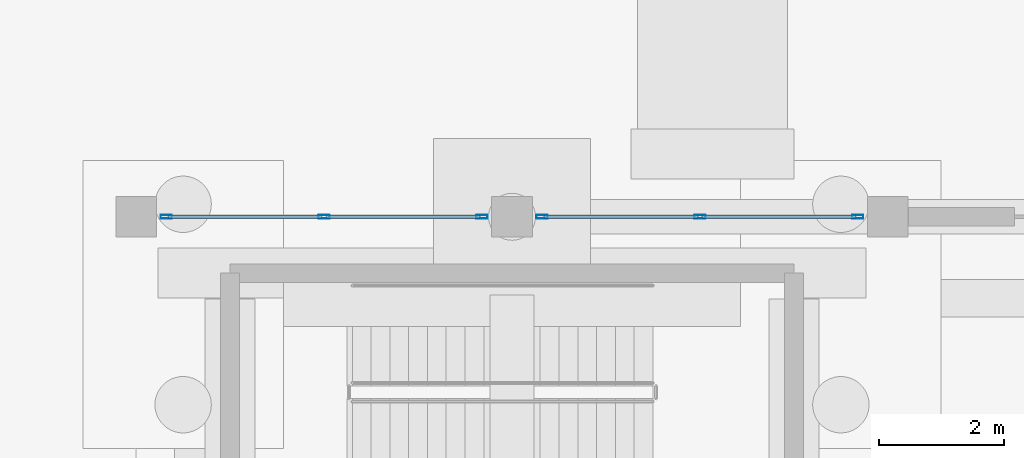
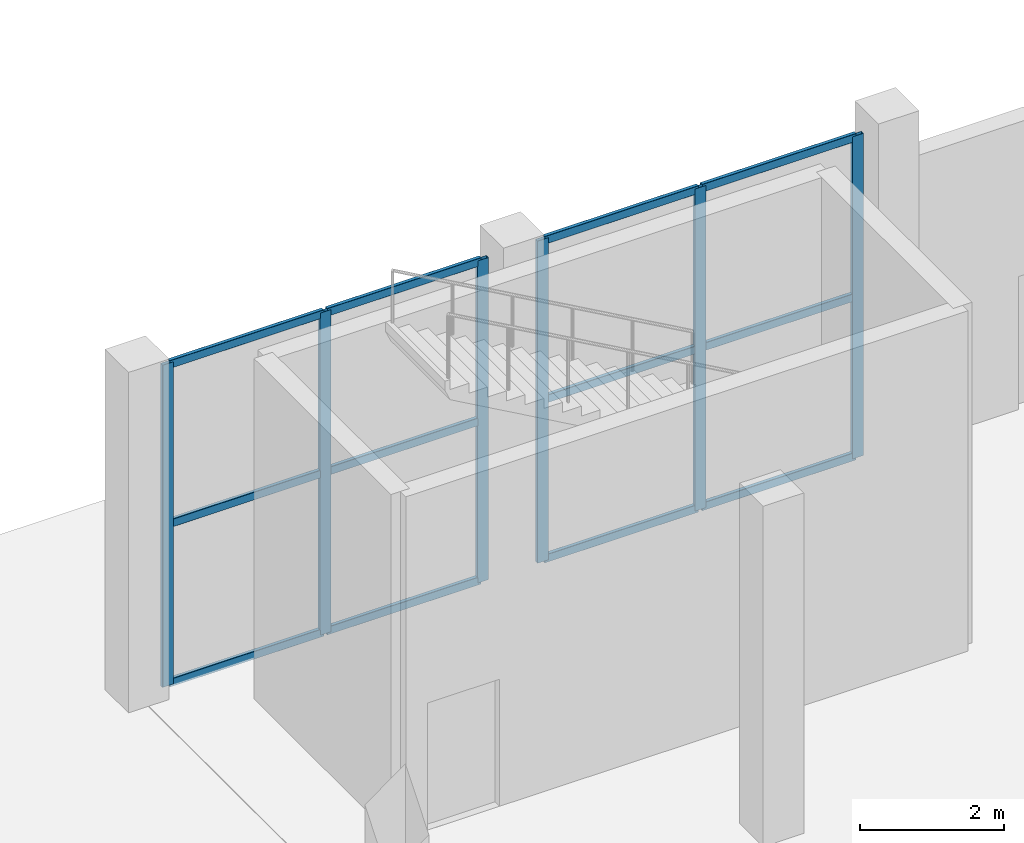
# One storey, part 53 of 103: 18 members, 2 elements without a shape of their own.
"""IFC4 building model written with IfcOpenShell, lengths in metres."""

from ifc_helpers import new_model, si_unit, direction, frame, origin, origin_2d, place, context, subcontext, project, spatial, hollow_rectangle, extrude, material, layer, layer_set, material_profile, profile_set, type_object, element, aggregate, save


model = new_model("IFC4")

# Units and contexts
model_context = context("Model", 3, precision=1e-05, world=origin(), true_north=direction((0.0, 1.0)))
body_context = subcontext(model_context, "Body", "Model", "MODEL_VIEW")
ifc_project = project(units=[si_unit("LENGTHUNIT", "METRE"), si_unit("AREAUNIT", "SQUARE_METRE"), si_unit("VOLUMEUNIT", "CUBIC_METRE"), si_unit("PLANEANGLEUNIT", "RADIAN"), si_unit("MASSUNIT", "GRAM", prefix="KILO")], contexts=[model_context])

# Site, building, storey
site_placement = place(None, origin())
site = spatial("IfcSite", under=ifc_project, at=site_placement, CompositionType="ELEMENT")
building_placement = place(site_placement, origin())
building = spatial("IfcBuilding", under=site, at=building_placement, Name="Dunvalen Ferry Terminal", CompositionType="ELEMENT")
storey_placement = place(building_placement, origin())
storey = spatial("IfcBuildingStorey", under=building, at=storey_placement, Name="L00", CompositionType="ELEMENT", Elevation=0.0)

# Curtain wall, members
ifc_material_1 = material(Name="Anodised marine aluminium and solar-control glazing", Category="aluminium")
ifc_layer = layer(ifc_material_1, 0.159912109375, Name="Anodised marine aluminium and solar-control glazing")
ifc_layer_set = layer_set([ifc_layer], Name="Anodised marine aluminium and solar-control glazing")
curtain_wall_type = type_object("IfcCurtainWallType", Name="ENV-CW-SYS-09", PredefinedType="NOTDEFINED", material=ifc_layer_set)
curtain_wall_1_placement = place(storey_placement, origin())
curtain_wall_1 = element("IfcCurtainWall", 1, at=curtain_wall_1_placement, inside=storey, type_object=curtain_wall_type, Name="L00 Curtain Wall CW-BRT1-N-L00-1", PredefinedType="NOTDEFINED")
ifc_material_2 = material(Name="Anodised marine aluminium EN AW-6063 T6", Category="aluminium")
ifc_material_profile_1 = material_profile(ifc_material_2, hollow_rectangle(XDim=0.06005859375, YDim=0.179931640625, WallThickness=0.00341796875, InnerFilletRadius=0.00341796875, OuterFilletRadius=0.007080078125, at=origin_2d()), Name="Anodised marine aluminium EN AW-6063 T6")
ifc_profile_set_1 = profile_set([ifc_material_profile_1], Name="Anodised marine aluminium EN AW-6063 T6")
member_type_1 = type_object("IfcMemberType", Name="ENV-CW-MUL-2", PredefinedType="MULLION", material=ifc_profile_set_1)
member_1_placement = place(storey_placement, frame((24.47998046875, 115.199951171875, 0.0), z_axis=(0.0, 0.0, 1.0), x_axis=(0.0, 1.0, 0.0)))
member_1 = element("IfcMember", 2, at=member_1_placement, type_object=member_type_1, Name="CW-09 mullion 1", PredefinedType="MULLION", context=body_context, shape_type="SweptSolid", body=[
    extrude(hollow_rectangle(XDim=0.06005859375, YDim=0.179931640625, WallThickness=0.00341796875, InnerFilletRadius=0.00341796875, OuterFilletRadius=0.007080078125, at=origin_2d()), origin(), (0.0, 0.0, 1.0), 5.449951171875),
])
member_2_placement = place(storey_placement, frame((27.0, 115.199951171875, 0.0), z_axis=(0.0, 0.0, 1.0), x_axis=(0.0, 1.0, 0.0)))
member_2 = element("IfcMember", 3, at=member_2_placement, type_object=member_type_1, Name="CW-09 mullion 2", PredefinedType="MULLION", context=body_context, shape_type="SweptSolid", body=[
    extrude(hollow_rectangle(XDim=0.06005859375, YDim=0.179931640625, WallThickness=0.00341796875, InnerFilletRadius=0.00341796875, OuterFilletRadius=0.007080078125, at=origin_2d()), origin(), (0.0, 0.0, 1.0), 5.449951171875),
])
member_3_placement = place(storey_placement, frame((29.52001953125, 115.199951171875, 0.0), z_axis=(0.0, 0.0, 1.0), x_axis=(0.0, 1.0, 0.0)))
member_3 = element("IfcMember", 4, at=member_3_placement, type_object=member_type_1, Name="CW-09 mullion 3", PredefinedType="MULLION", context=body_context, shape_type="SweptSolid", body=[
    extrude(hollow_rectangle(XDim=0.06005859375, YDim=0.179931640625, WallThickness=0.00341796875, InnerFilletRadius=0.00341796875, OuterFilletRadius=0.007080078125, at=origin_2d()), origin(), (0.0, 0.0, 1.0), 5.449951171875),
])

curtain_wall_2_placement = place(storey_placement, origin())
curtain_wall_2 = element("IfcCurtainWall", 5, at=curtain_wall_2_placement, inside=storey, type_object=curtain_wall_type, Name="L00 Curtain Wall CW-BRT1-N-L00-2", PredefinedType="NOTDEFINED")
member_4_placement = place(storey_placement, frame((30.47998046875, 115.199951171875, 0.0), z_axis=(0.0, 0.0, 1.0), x_axis=(0.0, 1.0, 0.0)))
member_4 = element("IfcMember", 6, at=member_4_placement, type_object=member_type_1, Name="CW-09 mullion 1", PredefinedType="MULLION", context=body_context, shape_type="SweptSolid", body=[
    extrude(hollow_rectangle(XDim=0.06005859375, YDim=0.179931640625, WallThickness=0.00341796875, InnerFilletRadius=0.00341796875, OuterFilletRadius=0.007080078125, at=origin_2d()), origin(), (0.0, 0.0, 1.0), 5.449951171875),
])
member_5_placement = place(storey_placement, frame((33.0, 115.199951171875, 0.0), z_axis=(0.0, 0.0, 1.0), x_axis=(0.0, 1.0, 0.0)))
member_5 = element("IfcMember", 7, at=member_5_placement, type_object=member_type_1, Name="CW-09 mullion 2", PredefinedType="MULLION", context=body_context, shape_type="SweptSolid", body=[
    extrude(hollow_rectangle(XDim=0.06005859375, YDim=0.179931640625, WallThickness=0.00341796875, InnerFilletRadius=0.00341796875, OuterFilletRadius=0.007080078125, at=origin_2d()), origin(), (0.0, 0.0, 1.0), 5.449951171875),
])
member_6_placement = place(storey_placement, frame((35.52001953125, 115.199951171875, 0.0), z_axis=(0.0, 0.0, 1.0), x_axis=(0.0, 1.0, 0.0)))
member_6 = element("IfcMember", 8, at=member_6_placement, type_object=member_type_1, Name="CW-09 mullion 3", PredefinedType="MULLION", context=body_context, shape_type="SweptSolid", body=[
    extrude(hollow_rectangle(XDim=0.06005859375, YDim=0.179931640625, WallThickness=0.00341796875, InnerFilletRadius=0.00341796875, OuterFilletRadius=0.007080078125, at=origin_2d()), origin(), (0.0, 0.0, 1.0), 5.449951171875),
])

# Member
ifc_material_profile_2 = material_profile(ifc_material_2, hollow_rectangle(XDim=0.06005859375, YDim=0.135009765625, WallThickness=0.003173828125, InnerFilletRadius=0.003173828125, OuterFilletRadius=0.00634765625, at=origin_2d()), Name="Anodised marine aluminium EN AW-6063 T6")
ifc_profile_set_2 = profile_set([ifc_material_profile_2], Name="Anodised marine aluminium EN AW-6063 T6")
member_type_2 = type_object("IfcMemberType", Name="ENV-CW-TRN-2", PredefinedType="USERDEFINED", material=ifc_profile_set_2)
member_7_placement = place(storey_placement, frame((24.510009765625, 115.199951171875, 0.030029296875), z_axis=(1.0, 0.0, 0.0), x_axis=(0.0, 1.0, 0.0)))
member_7 = element("IfcMember", 9, at=member_7_placement, type_object=member_type_2, Name="CW-09 transom 1.1", ObjectType="TRANSOM", PredefinedType="USERDEFINED", context=body_context, shape_type="SweptSolid", body=[
    extrude(hollow_rectangle(XDim=0.06005859375, YDim=0.135009765625, WallThickness=0.003173828125, InnerFilletRadius=0.003173828125, OuterFilletRadius=0.00634765625, at=origin_2d()), origin(), (0.0, 0.0, 1.0), 2.4599609375),
])

member_8_placement = place(storey_placement, frame((24.510009765625, 115.199951171875, 2.72509765625), z_axis=(1.0, 0.0, 0.0), x_axis=(0.0, 1.0, 0.0)))
member_8 = element("IfcMember", 10, at=member_8_placement, type_object=member_type_2, Name="CW-09 transom 1.2", ObjectType="TRANSOM", PredefinedType="USERDEFINED", context=body_context, shape_type="SweptSolid", body=[
    extrude(hollow_rectangle(XDim=0.06005859375, YDim=0.135009765625, WallThickness=0.003173828125, InnerFilletRadius=0.003173828125, OuterFilletRadius=0.00634765625, at=origin_2d()), origin(), (0.0, 0.0, 1.0), 2.4599609375),
])

member_9_placement = place(storey_placement, frame((24.510009765625, 115.199951171875, 5.419921875), z_axis=(1.0, 0.0, 0.0), x_axis=(0.0, 1.0, 0.0)))
member_9 = element("IfcMember", 11, at=member_9_placement, type_object=member_type_2, Name="CW-09 transom 1.3", ObjectType="TRANSOM", PredefinedType="USERDEFINED", context=body_context, shape_type="SweptSolid", body=[
    extrude(hollow_rectangle(XDim=0.06005859375, YDim=0.135009765625, WallThickness=0.003173828125, InnerFilletRadius=0.003173828125, OuterFilletRadius=0.00634765625, at=origin_2d()), origin(), (0.0, 0.0, 1.0), 2.4599609375),
])

member_10_placement = place(storey_placement, frame((27.030029296875, 115.199951171875, 0.030029296875), z_axis=(1.0, 0.0, 0.0), x_axis=(0.0, 1.0, 0.0)))
member_10 = element("IfcMember", 12, at=member_10_placement, type_object=member_type_2, Name="CW-09 transom 2.1", ObjectType="TRANSOM", PredefinedType="USERDEFINED", context=body_context, shape_type="SweptSolid", body=[
    extrude(hollow_rectangle(XDim=0.06005859375, YDim=0.135009765625, WallThickness=0.003173828125, InnerFilletRadius=0.003173828125, OuterFilletRadius=0.00634765625, at=origin_2d()), origin(), (0.0, 0.0, 1.0), 2.4599609375),
])

member_11_placement = place(storey_placement, frame((27.030029296875, 115.199951171875, 2.72509765625), z_axis=(1.0, 0.0, 0.0), x_axis=(0.0, 1.0, 0.0)))
member_11 = element("IfcMember", 13, at=member_11_placement, type_object=member_type_2, Name="CW-09 transom 2.2", ObjectType="TRANSOM", PredefinedType="USERDEFINED", context=body_context, shape_type="SweptSolid", body=[
    extrude(hollow_rectangle(XDim=0.06005859375, YDim=0.135009765625, WallThickness=0.003173828125, InnerFilletRadius=0.003173828125, OuterFilletRadius=0.00634765625, at=origin_2d()), origin(), (0.0, 0.0, 1.0), 2.4599609375),
])

member_12_placement = place(storey_placement, frame((27.030029296875, 115.199951171875, 5.419921875), z_axis=(1.0, 0.0, 0.0), x_axis=(0.0, 1.0, 0.0)))
member_12 = element("IfcMember", 14, at=member_12_placement, type_object=member_type_2, Name="CW-09 transom 2.3", ObjectType="TRANSOM", PredefinedType="USERDEFINED", context=body_context, shape_type="SweptSolid", body=[
    extrude(hollow_rectangle(XDim=0.06005859375, YDim=0.135009765625, WallThickness=0.003173828125, InnerFilletRadius=0.003173828125, OuterFilletRadius=0.00634765625, at=origin_2d()), origin(), (0.0, 0.0, 1.0), 2.4599609375),
])

aggregate(curtain_wall_1, [member_1, member_2, member_3, member_7, member_8, member_9, member_10, member_11, member_12])

member_13_placement = place(storey_placement, frame((30.510009765625, 115.199951171875, 0.030029296875), z_axis=(1.0, 0.0, 0.0), x_axis=(0.0, 1.0, 0.0)))
member_13 = element("IfcMember", 15, at=member_13_placement, type_object=member_type_2, Name="CW-09 transom 1.1", ObjectType="TRANSOM", PredefinedType="USERDEFINED", context=body_context, shape_type="SweptSolid", body=[
    extrude(hollow_rectangle(XDim=0.06005859375, YDim=0.135009765625, WallThickness=0.003173828125, InnerFilletRadius=0.003173828125, OuterFilletRadius=0.00634765625, at=origin_2d()), origin(), (0.0, 0.0, 1.0), 2.4599609375),
])

member_14_placement = place(storey_placement, frame((30.510009765625, 115.199951171875, 2.72509765625), z_axis=(1.0, 0.0, 0.0), x_axis=(0.0, 1.0, 0.0)))
member_14 = element("IfcMember", 16, at=member_14_placement, type_object=member_type_2, Name="CW-09 transom 1.2", ObjectType="TRANSOM", PredefinedType="USERDEFINED", context=body_context, shape_type="SweptSolid", body=[
    extrude(hollow_rectangle(XDim=0.06005859375, YDim=0.135009765625, WallThickness=0.003173828125, InnerFilletRadius=0.003173828125, OuterFilletRadius=0.00634765625, at=origin_2d()), origin(), (0.0, 0.0, 1.0), 2.4599609375),
])

member_15_placement = place(storey_placement, frame((30.510009765625, 115.199951171875, 5.419921875), z_axis=(1.0, 0.0, 0.0), x_axis=(0.0, 1.0, 0.0)))
member_15 = element("IfcMember", 17, at=member_15_placement, type_object=member_type_2, Name="CW-09 transom 1.3", ObjectType="TRANSOM", PredefinedType="USERDEFINED", context=body_context, shape_type="SweptSolid", body=[
    extrude(hollow_rectangle(XDim=0.06005859375, YDim=0.135009765625, WallThickness=0.003173828125, InnerFilletRadius=0.003173828125, OuterFilletRadius=0.00634765625, at=origin_2d()), origin(), (0.0, 0.0, 1.0), 2.4599609375),
])

member_16_placement = place(storey_placement, frame((33.030029296875, 115.199951171875, 0.030029296875), z_axis=(1.0, 0.0, 0.0), x_axis=(0.0, 1.0, 0.0)))
member_16 = element("IfcMember", 18, at=member_16_placement, type_object=member_type_2, Name="CW-09 transom 2.1", ObjectType="TRANSOM", PredefinedType="USERDEFINED", context=body_context, shape_type="SweptSolid", body=[
    extrude(hollow_rectangle(XDim=0.06005859375, YDim=0.135009765625, WallThickness=0.003173828125, InnerFilletRadius=0.003173828125, OuterFilletRadius=0.00634765625, at=origin_2d()), origin(), (0.0, 0.0, 1.0), 2.4599609375),
])

member_17_placement = place(storey_placement, frame((33.030029296875, 115.199951171875, 2.72509765625), z_axis=(1.0, 0.0, 0.0), x_axis=(0.0, 1.0, 0.0)))
member_17 = element("IfcMember", 19, at=member_17_placement, type_object=member_type_2, Name="CW-09 transom 2.2", ObjectType="TRANSOM", PredefinedType="USERDEFINED", context=body_context, shape_type="SweptSolid", body=[
    extrude(hollow_rectangle(XDim=0.06005859375, YDim=0.135009765625, WallThickness=0.003173828125, InnerFilletRadius=0.003173828125, OuterFilletRadius=0.00634765625, at=origin_2d()), origin(), (0.0, 0.0, 1.0), 2.4599609375),
])

member_18_placement = place(storey_placement, frame((33.030029296875, 115.199951171875, 5.419921875), z_axis=(1.0, 0.0, 0.0), x_axis=(0.0, 1.0, 0.0)))
member_18 = element("IfcMember", 20, at=member_18_placement, type_object=member_type_2, Name="CW-09 transom 2.3", ObjectType="TRANSOM", PredefinedType="USERDEFINED", context=body_context, shape_type="SweptSolid", body=[
    extrude(hollow_rectangle(XDim=0.06005859375, YDim=0.135009765625, WallThickness=0.003173828125, InnerFilletRadius=0.003173828125, OuterFilletRadius=0.00634765625, at=origin_2d()), origin(), (0.0, 0.0, 1.0), 2.4599609375),
])

aggregate(curtain_wall_2, [member_4, member_5, member_6, member_13, member_14, member_15, member_16, member_17, member_18])

save(model, "model.ifc")
